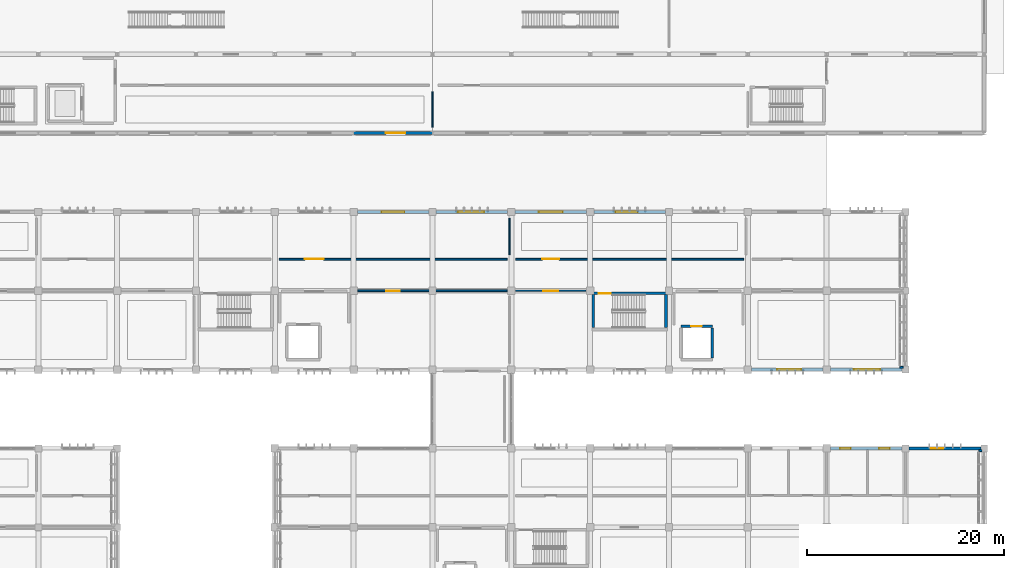
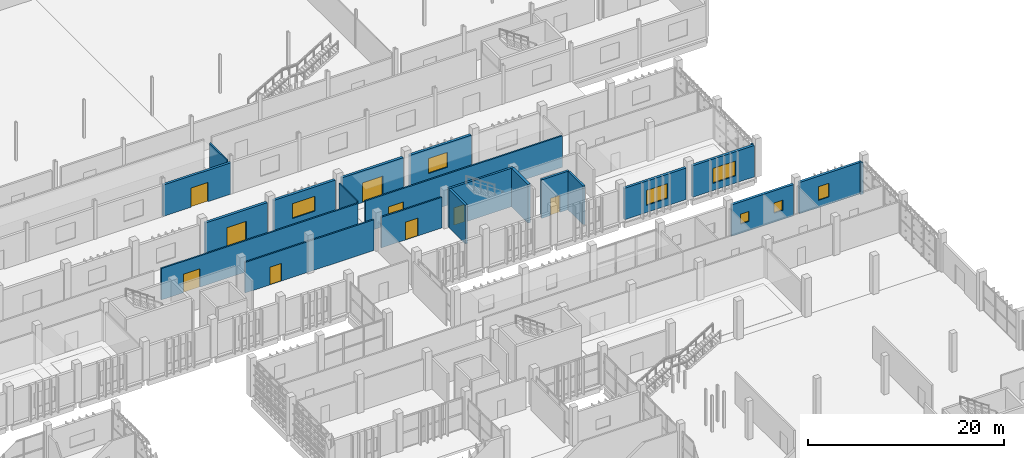
# One storey, part 96 of 117: 22 walls, 9 doors, 7 windows, 16 openings.
"""IFC4 building model written with IfcOpenShell, lengths in metres."""

from ifc_helpers import new_model, si_unit, direction, frame, frame_2d, origin, place, context, subcontext, project, spatial, rectangle, extrude, material, layer, layer_set, type_object, element, fill, save


model = new_model("IFC4")

# Units and contexts
model_context = context("Model", 3, precision=1e-05, world=origin(), true_north=direction((0.0, 1.0)))
body_context = subcontext(model_context, "Body", "Model", "MODEL_VIEW")
ifc_project = project(units=[si_unit("LENGTHUNIT", "METRE"), si_unit("AREAUNIT", "SQUARE_METRE"), si_unit("VOLUMEUNIT", "CUBIC_METRE"), si_unit("PLANEANGLEUNIT", "RADIAN"), si_unit("MASSUNIT", "GRAM", prefix="KILO")], contexts=[model_context])

# Site, building, storey
site_placement = place(None, origin())
site = spatial("IfcSite", under=ifc_project, at=site_placement, CompositionType="ELEMENT")
building_placement = place(site_placement, origin())
building = spatial("IfcBuilding", under=site, at=building_placement, Name="Jelvoka-Kovrelna Polytechnic", CompositionType="ELEMENT")
storey_placement = place(building_placement, origin())
storey = spatial("IfcBuildingStorey", under=building, at=storey_placement, Name="L01", CompositionType="ELEMENT", Elevation=0.0)

# Wall, opening, door
ifc_material_1 = material(Name="Concrete C40/50", Category="concrete")
ifc_layer_1 = layer(ifc_material_1, 0.25)
ifc_layer_set_1 = layer_set([ifc_layer_1], Name="Concrete C40/50")
wall_type_1 = type_object("IfcWallType", Name="Wall_Core_250", PredefinedType="SOLIDWALL", material=ifc_layer_set_1)
wall_1_placement = place(storey_placement, frame((160.199951171875, 63.739990234375, 0.0), z_axis=(0.0, 0.0, 1.0), x_axis=(1.0, 0.0, 0.0)))
wall_1 = element("IfcWall", 1, at=wall_1_placement, inside=storey, type_object=wall_type_1, Name="L01 interior wall 0187", PredefinedType="SOLIDWALL", context=body_context, shape_type="SweptSolid", body=[
    extrude(rectangle(XDim=7.650146484375, YDim=0.25, at=frame_2d((3.8251953125, 0.0))), origin(), (0.0, 0.0, 1.0), 4.800048828125),
])
opening_1_placement = place(wall_1_placement, frame((0.64990234375, 0.0, 0.0)))
opening_1 = element("IfcOpeningElement", 2, at=opening_1_placement, cuts=wall_1, Name="Opening SD-L01-047", PredefinedType="OPENING", context=body_context, shape_type="SweptSolid", body=[
    extrude(rectangle(XDim=1.25, YDim=2.14990234375, at=frame_2d((0.625, 1.074951171875))), frame((0.0, 0.135009765625, 0.0), z_axis=(0.0, -1.0, 0.0), x_axis=(1.0, 0.0, 0.0)), (0.0, 0.0, 1.0), 0.27001953125),
])
ifc_material_2 = material(Name="Powder-coated steel fire door", Category="steel")
door_type_1 = type_object("IfcDoorType", Name="Door_Fire_FD02", OperationType="NOTDEFINED", PredefinedType="DOOR", material=ifc_material_2)
door_1_placement = place(opening_1_placement, origin())
door_1 = element("IfcDoor", 3, at=door_1_placement, inside=storey, type_object=door_type_1, Name="L01 interior door SD-L01-047", OperationType="SINGLE_SWING_LEFT", OverallHeight=2.14990234375, OverallWidth=1.25, PredefinedType="DOOR", context=body_context, shape_type="SweptSolid", body=[
    extrude(rectangle(XDim=1.25, YDim=2.14990234375, at=frame_2d((0.625, 1.074951171875))), frame((0.0, 0.02490234375, 0.0), z_axis=(0.0, -1.0, 0.0), x_axis=(1.0, 0.0, 0.0)), (0.0, 0.0, 1.0), 0.050048828125),
])
fill(opening_1, door_1)

# Wall
wall_2_placement = place(storey_placement, frame((160.324951171875, 60.25, 0.0), z_axis=(0.0, 0.0, 1.0), x_axis=(0.0, 1.0, 0.0)))
element("IfcWall", 4, at=wall_2_placement, inside=storey, type_object=wall_type_1, Name="L01 interior wall 0188", PredefinedType="SOLIDWALL", context=body_context, shape_type="SweptSolid", body=[
    extrude(rectangle(XDim=3.360107421875, YDim=0.25, at=frame_2d((1.68017578125, 0.0))), origin(), (0.0, 0.0, 1.0), 4.800048828125),
])

# Wall, opening, door
wall_3_placement = place(storey_placement, frame((169.199951171875, 60.39990234375, 0.0), z_axis=(0.0, 0.0, 1.0), x_axis=(1.0, 0.0, 0.0)))
wall_3 = element("IfcWall", 5, at=wall_3_placement, inside=storey, type_object=wall_type_1, Name="L01 interior wall 0336", PredefinedType="SOLIDWALL", context=body_context, shape_type="SweptSolid", body=[
    extrude(rectangle(XDim=3.199951171875, YDim=0.25, at=frame_2d((1.60009765625, 0.0))), origin(), (0.0, 0.0, 1.0), 4.800048828125),
])
opening_2_placement = place(wall_3_placement, frame((1.050048828125, 0.0, 0.0)))
opening_2 = element("IfcOpeningElement", 6, at=opening_2_placement, cuts=wall_3, Name="Opening LD-L01-11", PredefinedType="OPENING", context=body_context, shape_type="SweptSolid", body=[
    extrude(rectangle(XDim=1.10009765625, YDim=2.14990234375, at=frame_2d((0.550048828125, 1.074951171875))), frame((0.0, 0.135009765625, 0.0), z_axis=(0.0, -1.0, 0.0), x_axis=(1.0, 0.0, 0.0)), (0.0, 0.0, 1.0), 0.27001953125),
])
ifc_material_3 = material(Name="Brushed stainless steel sliding landing door", Category="steel")
door_type_2 = type_object("IfcDoorType", Name="Door_Lift_LD01", OperationType="NOTDEFINED", PredefinedType="DOOR", material=ifc_material_3)
door_2_placement = place(opening_2_placement, origin())
door_2 = element("IfcDoor", 7, at=door_2_placement, inside=storey, type_object=door_type_2, Name="L01 lift landing sliding door LD-L01-11", OperationType="DOUBLE_DOOR_SLIDING", OverallHeight=2.14990234375, OverallWidth=1.10009765625, PredefinedType="DOOR", context=body_context, shape_type="SweptSolid", body=[
    extrude(rectangle(XDim=1.10009765625, YDim=2.14990234375, at=frame_2d((0.550048828125, 1.074951171875))), frame((0.0, 0.02490234375, 0.0), z_axis=(0.0, -1.0, 0.0), x_axis=(1.0, 0.0, 0.0)), (0.0, 0.0, 1.0), 0.050048828125),
])
fill(opening_2, door_2)

# Wall
wall_4_placement = place(storey_placement, frame((172.39990234375, 57.199951171875, 0.0), z_axis=(0.0, 0.0, 1.0), x_axis=(0.0, 1.0, 0.0)))
element("IfcWall", 8, at=wall_4_placement, inside=storey, type_object=wall_type_1, Name="L01 interior wall 0338", PredefinedType="SOLIDWALL", context=body_context, shape_type="SweptSolid", body=[
    extrude(rectangle(XDim=3.0, YDim=0.25, at=frame_2d((1.5, 0.0))), origin(), (0.0, 0.0, 1.0), 4.800048828125),
])

# Wall, opening, door
ifc_material_4 = material(Name="Autoclaved aerated concrete blockwork", Category="masonry")
ifc_layer_2 = layer(ifc_material_4, 0.179931640625)
ifc_layer_set_2 = layer_set([ifc_layer_2], Name="Autoclaved aerated concrete blockwork")
wall_type_2 = type_object("IfcWallType", Name="Wall_Corridor_180", PredefinedType="PARTITIONING", material=ifc_layer_set_2)
wall_5_placement = place(storey_placement, frame((136.429931640625, 64.0, 0.0), z_axis=(0.0, 0.0, 1.0), x_axis=(1.0, 0.0, 0.0)))
wall_5 = element("IfcWall", 9, at=wall_5_placement, inside=storey, type_object=wall_type_2, Name="L01 interior wall 0888", PredefinedType="PARTITIONING", context=body_context, shape_type="SweptSolid", body=[
    extrude(rectangle(XDim=15.14013671875, YDim=0.179931640625, at=frame_2d((7.570068359375, 0.0))), origin(), (0.0, 0.0, 1.0), 3.81005859375),
])
opening_3_placement = place(wall_5_placement, frame((2.89501953125, 0.0, 0.0)))
opening_3 = element("IfcOpeningElement", 10, at=opening_3_placement, cuts=wall_5, Name="Opening D-L01-181", PredefinedType="OPENING", context=body_context, shape_type="SweptSolid", body=[
    extrude(rectangle(XDim=1.35009765625, YDim=2.199951171875, at=frame_2d((0.675048828125, 1.10009765625))), frame((0.0, 0.099853515625, 0.0), z_axis=(0.0, -1.0, 0.0), x_axis=(1.0, 0.0, 0.0)), (0.0, 0.0, 1.0), 0.199951171875),
])
ifc_material_5 = material(Name="Studio wide leaf door", Category="wood")
door_type_3 = type_object("IfcDoorType", Name="Door_Int_D15", OperationType="NOTDEFINED", PredefinedType="DOOR", material=ifc_material_5)
door_3_placement = place(opening_3_placement, origin())
door_3 = element("IfcDoor", 11, at=door_3_placement, inside=storey, type_object=door_type_3, Name="L01 interior door D-L01-181", OperationType="SINGLE_SWING_RIGHT", OverallHeight=2.199951171875, OverallWidth=1.35009765625, PredefinedType="DOOR", context=body_context, shape_type="SweptSolid", body=[
    extrude(rectangle(XDim=1.35009765625, YDim=2.199951171875, at=frame_2d((0.675048828125, 1.10009765625))), frame((0.0, 0.02490234375, 0.0), z_axis=(0.0, -1.0, 0.0), x_axis=(1.0, 0.0, 0.0)), (0.0, 0.0, 1.0), 0.050048828125),
])
fill(opening_3, door_3)

wall_6_placement = place(storey_placement, frame((152.429931640625, 64.0, 0.0), z_axis=(0.0, 0.0, 1.0), x_axis=(1.0, 0.0, 0.0)))
wall_6 = element("IfcWall", 12, at=wall_6_placement, inside=storey, type_object=wall_type_2, Name="L01 interior wall 0890", PredefinedType="PARTITIONING", context=body_context, shape_type="SweptSolid", body=[
    extrude(rectangle(XDim=7.14013671875, YDim=0.179931640625, at=frame_2d((3.570068359375, 0.0))), origin(), (0.0, 0.0, 1.0), 3.81005859375),
])
opening_4_placement = place(wall_6_placement, frame((2.830078125, 0.0, 0.0)))
opening_4 = element("IfcOpeningElement", 13, at=opening_4_placement, cuts=wall_6, Name="Opening D-L01-182", PredefinedType="OPENING", context=body_context, shape_type="SweptSolid", body=[
    extrude(rectangle(XDim=1.47998046875, YDim=2.199951171875, at=frame_2d((0.739990234375, 1.10009765625))), frame((0.0, 0.099853515625, 0.0), z_axis=(0.0, -1.0, 0.0), x_axis=(1.0, 0.0, 0.0)), (0.0, 0.0, 1.0), 0.199951171875),
])
ifc_material_6 = material(Name="Paired studio double door", Category="wood")
door_type_4 = type_object("IfcDoorType", Name="Door_Int_D17", OperationType="NOTDEFINED", PredefinedType="DOOR", material=ifc_material_6)
door_4_placement = place(opening_4_placement, origin())
door_4 = element("IfcDoor", 14, at=door_4_placement, inside=storey, type_object=door_type_4, Name="L01 interior door D-L01-182", OperationType="DOUBLE_DOOR_SINGLE_SWING", OverallHeight=2.199951171875, OverallWidth=1.47998046875, PredefinedType="DOOR", context=body_context, shape_type="SweptSolid", body=[
    extrude(rectangle(XDim=1.47998046875, YDim=2.199951171875, at=frame_2d((0.739990234375, 1.10009765625))), frame((0.0, 0.02490234375, 0.0), z_axis=(0.0, -1.0, 0.0), x_axis=(1.0, 0.0, 0.0)), (0.0, 0.0, 1.0), 0.050048828125),
])
fill(opening_4, door_4)

wall_7_placement = place(storey_placement, frame((128.429931640625, 67.199951171875, 0.0), z_axis=(0.0, 0.0, 1.0), x_axis=(1.0, 0.0, 0.0)))
wall_7 = element("IfcWall", 15, at=wall_7_placement, inside=storey, type_object=wall_type_2, Name="L01 interior wall 0896", PredefinedType="PARTITIONING", context=body_context, shape_type="SweptSolid", body=[
    extrude(rectangle(XDim=23.14013671875, YDim=0.179931640625, at=frame_2d((11.570068359375, 0.0))), origin(), (0.0, 0.0, 1.0), 3.89990234375),
])
opening_5_placement = place(wall_7_placement, frame((2.610107421875, 0.0, 0.0)))
opening_5 = element("IfcOpeningElement", 16, at=opening_5_placement, cuts=wall_7, Name="Opening D-L01-187", PredefinedType="OPENING", context=body_context, shape_type="SweptSolid", body=[
    extrude(rectangle(XDim=1.919921875, YDim=2.300048828125, at=frame_2d((0.9599609375, 1.14990234375))), frame((0.0, 0.099853515625, 0.0), z_axis=(0.0, -1.0, 0.0), x_axis=(1.0, 0.0, 0.0)), (0.0, 0.0, 1.0), 0.199951171875),
])
ifc_material_7 = material(Name="Paired workshop prep double door", Category="wood")
door_type_5 = type_object("IfcDoorType", Name="Door_Int_D23", OperationType="NOTDEFINED", PredefinedType="DOOR", material=ifc_material_7)
door_5_placement = place(opening_5_placement, origin())
door_5 = element("IfcDoor", 17, at=door_5_placement, inside=storey, type_object=door_type_5, Name="L01 interior door D-L01-187", OperationType="DOUBLE_DOOR_SINGLE_SWING", OverallHeight=2.300048828125, OverallWidth=1.919921875, PredefinedType="DOOR", context=body_context, shape_type="SweptSolid", body=[
    extrude(rectangle(XDim=1.919921875, YDim=2.300048828125, at=frame_2d((0.9599609375, 1.14990234375))), frame((0.0, 0.02490234375, 0.0), z_axis=(0.0, -1.0, 0.0), x_axis=(1.0, 0.0, 0.0)), (0.0, 0.0, 1.0), 0.050048828125),
])
fill(opening_5, door_5)

wall_8_placement = place(storey_placement, frame((152.429931640625, 67.199951171875, 0.0), z_axis=(0.0, 0.0, 1.0), x_axis=(1.0, 0.0, 0.0)))
wall_8 = element("IfcWall", 18, at=wall_8_placement, inside=storey, type_object=wall_type_2, Name="L01 interior wall 0898", PredefinedType="PARTITIONING", context=body_context, shape_type="SweptSolid", body=[
    extrude(rectangle(XDim=23.14013671875, YDim=0.179931640625, at=frame_2d((11.570068359375, 0.0))), origin(), (0.0, 0.0, 1.0), 3.89990234375),
])
opening_6_placement = place(wall_8_placement, frame((2.699951171875, 0.0, 0.0)))
opening_6 = element("IfcOpeningElement", 19, at=opening_6_placement, cuts=wall_8, Name="Opening D-L01-188", PredefinedType="OPENING", context=body_context, shape_type="SweptSolid", body=[
    extrude(rectangle(XDim=1.739990234375, YDim=2.219970703125, at=frame_2d((0.8701171875, 1.10986328125))), frame((0.0, 0.099853515625, 0.0), z_axis=(0.0, -1.0, 0.0), x_axis=(1.0, 0.0, 0.0)), (0.0, 0.0, 1.0), 0.199951171875),
])
ifc_material_8 = material(Name="Paired hardwood fire-resisting refectory door", Category="wood")
door_type_6 = type_object("IfcDoorType", Name="Door_Fire_FD30_09", OperationType="NOTDEFINED", PredefinedType="DOOR", material=ifc_material_8)
door_6_placement = place(opening_6_placement, origin())
door_6 = element("IfcDoor", 20, at=door_6_placement, inside=storey, type_object=door_type_6, Name="L01 interior door D-L01-188", OperationType="DOUBLE_DOOR_SINGLE_SWING", OverallHeight=2.219970703125, OverallWidth=1.739990234375, PredefinedType="DOOR", context=body_context, shape_type="SweptSolid", body=[
    extrude(rectangle(XDim=1.739990234375, YDim=2.219970703125, at=frame_2d((0.8701171875, 1.10986328125))), frame((0.0, 0.02490234375, 0.0), z_axis=(0.0, -1.0, 0.0), x_axis=(1.0, 0.0, 0.0)), (0.0, 0.0, 1.0), 0.050048828125),
])
fill(opening_6, door_6)

ifc_material_9 = material(Name="Precast concrete C40/50", Category="concrete")
ifc_layer_3 = layer(ifc_material_9, 0.280029296875)
ifc_layer_set_3 = layer_set([ifc_layer_3], Name="Precast concrete C40/50")
wall_type_3 = type_object("IfcWallType", Name="Wall_Ext_White_280", PredefinedType="STANDARD", material=ifc_layer_set_3)
wall_9_placement = place(storey_placement, frame((143.99609375, 80.0, 0.0), z_axis=(0.0, 0.0, 1.0), x_axis=(-1.0, 0.0, 0.0)))
wall_9 = element("IfcWall", 21, at=wall_9_placement, inside=storey, type_object=wall_type_3, Name="L01 exterior wall 0892", PredefinedType="STANDARD", context=body_context, shape_type="SweptSolid", body=[
    extrude(rectangle(XDim=7.9921875, YDim=0.280029296875, at=frame_2d((3.99609375, 0.0))), origin(), (0.0, 0.0, 1.0), 3.89501953125),
])
opening_7_placement = place(wall_9_placement, frame((2.736083984375, 0.0, 0.0)))
opening_7 = element("IfcOpeningElement", 22, at=opening_7_placement, cuts=wall_9, Name="Opening E-L01-028", PredefinedType="OPENING", context=body_context, shape_type="SweptSolid", body=[
    extrude(rectangle(XDim=2.0, YDim=2.39990234375, at=frame_2d((1.0, 1.199951171875))), frame((0.0, 0.150146484375, 0.0), z_axis=(0.0, -1.0, 0.0), x_axis=(1.0, 0.0, 0.0)), (0.0, 0.0, 1.0), 0.300048828125),
])
ifc_material_10 = material(Name="Powder-coated aluminium and laminated safety glass", Category="aluminium")
door_type_7 = type_object("IfcDoorType", Name="Door_Ext_Exit_2000x2400", OperationType="NOTDEFINED", PredefinedType="DOOR", material=ifc_material_10)
door_7_placement = place(opening_7_placement, origin())
door_7 = element("IfcDoor", 23, at=door_7_placement, inside=storey, type_object=door_type_7, Name="L01 exterior door E-L01-028", OperationType="DOUBLE_DOOR_SINGLE_SWING", OverallHeight=2.39990234375, OverallWidth=2.0, PredefinedType="DOOR", context=body_context, shape_type="SweptSolid", body=[
    extrude(rectangle(XDim=2.0, YDim=2.39990234375, at=frame_2d((1.0, 1.199951171875))), frame((0.0, 0.02490234375, 0.0), z_axis=(0.0, -1.0, 0.0), x_axis=(1.0, 0.0, 0.0)), (0.0, 0.0, 1.0), 0.050048828125),
])
fill(opening_7, door_7)

# Wall, openings, windows
ifc_material_11 = material(Name="Precast concrete C40/50", Category="concrete")
ifc_layer_4 = layer(ifc_material_11, 0.300048828125)
ifc_layer_set_4 = layer_set([ifc_layer_4], Name="Precast concrete C40/50")
wall_type_4 = type_object("IfcWallType", Name="Wall_Ext_White_300", PredefinedType="STANDARD", material=ifc_layer_set_4)
wall_10_placement = place(storey_placement, frame((184.3720703125, 48.0, 0.0), z_axis=(0.0, 0.0, 1.0), x_axis=(1.0, 0.0, 0.0)))
wall_10 = element("IfcWall", 24, at=wall_10_placement, inside=storey, type_object=wall_type_4, Name="L01 exterior wall 0451", PredefinedType="STANDARD", context=body_context, shape_type="SweptSolid", body=[
    extrude(rectangle(XDim=7.281005859375, YDim=0.300048828125, at=frame_2d((3.640625, 0.0))), origin(), (0.0, 0.0, 1.0), 3.909912109375),
])
opening_8_placement = place(wall_10_placement, frame((1.008056640625, 0.0, 1.14990234375)))
opening_8 = element("IfcOpeningElement", 25, at=opening_8_placement, cuts=wall_10, Name="Opening W-L01-175", PredefinedType="OPENING", context=body_context, shape_type="SweptSolid", body=[
    extrude(rectangle(XDim=1.050048828125, YDim=1.25, at=frame_2d((0.52490234375, 0.625))), frame((0.0, 0.159912109375, 0.0), z_axis=(0.0, -1.0, 0.0), x_axis=(1.0, 0.0, 0.0)), (0.0, 0.0, 1.0), 0.320068359375),
])
opening_9_placement = place(wall_10_placement, frame((4.9580078125, 0.0, 1.14990234375)))
opening_9 = element("IfcOpeningElement", 26, at=opening_9_placement, cuts=wall_10, Name="Opening W-L01-176", PredefinedType="OPENING", context=body_context, shape_type="SweptSolid", body=[
    extrude(rectangle(XDim=1.050048828125, YDim=1.25, at=frame_2d((0.52490234375, 0.625))), frame((0.0, 0.159912109375, 0.0), z_axis=(0.0, -1.0, 0.0), x_axis=(1.0, 0.0, 0.0)), (0.0, 0.0, 1.0), 0.320068359375),
])
ifc_material_12 = material(Name="Thermally broken anodised aluminium and low-e glazing", Category="aluminium")
window_type_1 = type_object("IfcWindowType", Name="Win_Casement_W01", PartitioningType="SINGLE_PANEL", PredefinedType="WINDOW", material=ifc_material_12)
window_1_placement = place(opening_8_placement, origin())
window_1 = element("IfcWindow", 27, at=window_1_placement, inside=storey, type_object=window_type_1, Name="L01 aluminium casement window W-L01-175", OverallHeight=1.25, OverallWidth=1.050048828125, PartitioningType="SINGLE_PANEL", PredefinedType="WINDOW", context=body_context, shape_type="SweptSolid", body=[
    extrude(rectangle(XDim=1.050048828125, YDim=1.25, at=frame_2d((0.52490234375, 0.625))), frame((0.0, 0.030029296875, 0.0), z_axis=(0.0, -1.0, 0.0), x_axis=(1.0, 0.0, 0.0)), (0.0, 0.0, 1.0), 0.06005859375),
])
fill(opening_8, window_1)
window_2_placement = place(opening_9_placement, origin())
window_2 = element("IfcWindow", 28, at=window_2_placement, inside=storey, type_object=window_type_1, Name="L01 aluminium casement window W-L01-176", OverallHeight=1.25, OverallWidth=1.050048828125, PartitioningType="SINGLE_PANEL", PredefinedType="WINDOW", context=body_context, shape_type="SweptSolid", body=[
    extrude(rectangle(XDim=1.050048828125, YDim=1.25, at=frame_2d((0.52490234375, 0.625))), frame((0.0, 0.030029296875, 0.0), z_axis=(0.0, -1.0, 0.0), x_axis=(1.0, 0.0, 0.0)), (0.0, 0.0, 1.0), 0.06005859375),
])
fill(opening_9, window_2)

# Wall, opening, window
wall_11_placement = place(storey_placement, frame((192.346923828125, 48.0, 0.0), z_axis=(0.0, 0.0, 1.0), x_axis=(1.0, 0.0, 0.0)))
wall_11 = element("IfcWall", 29, at=wall_11_placement, inside=storey, type_object=wall_type_4, Name="L01 exterior wall 0452", PredefinedType="STANDARD", context=body_context, shape_type="SweptSolid", body=[
    extrude(rectangle(XDim=7.30615234375, YDim=0.300048828125, at=frame_2d((3.653076171875, 0.0))), origin(), (0.0, 0.0, 1.0), 3.909912109375),
])
opening_10_placement = place(wall_11_placement, frame((2.23291015625, 0.0, 0.89990234375)))
opening_10 = element("IfcOpeningElement", 30, at=opening_10_placement, cuts=wall_11, Name="Opening W-L01-177", PredefinedType="OPENING", context=body_context, shape_type="SweptSolid", body=[
    extrude(rectangle(XDim=1.25, YDim=1.699951171875, at=frame_2d((0.625, 0.85009765625))), frame((0.0, 0.159912109375, 0.0), z_axis=(0.0, -1.0, 0.0), x_axis=(1.0, 0.0, 0.0)), (0.0, 0.0, 1.0), 0.320068359375),
])
ifc_material_13 = material(Name="Thermally broken anodised aluminium and low-e glazing", Category="aluminium")
window_type_2 = type_object("IfcWindowType", Name="Win_Casement_W32", PartitioningType="SINGLE_PANEL", PredefinedType="WINDOW", material=ifc_material_13)
window_3_placement = place(opening_10_placement, origin())
window_3 = element("IfcWindow", 31, at=window_3_placement, inside=storey, type_object=window_type_2, Name="L01 aluminium casement window W-L01-177", OverallHeight=1.699951171875, OverallWidth=1.25, PartitioningType="SINGLE_PANEL", PredefinedType="WINDOW", context=body_context, shape_type="SweptSolid", body=[
    extrude(rectangle(XDim=1.25, YDim=1.699951171875, at=frame_2d((0.625, 0.85009765625))), frame((0.0, 0.030029296875, 0.0), z_axis=(0.0, -1.0, 0.0), x_axis=(1.0, 0.0, 0.0)), (0.0, 0.0, 1.0), 0.06005859375),
])
fill(opening_10, window_3)

# Wall, opening, door
wall_12_placement = place(storey_placement, frame((136.3720703125, 72.0, 0.0), z_axis=(0.0, 0.0, 1.0), x_axis=(1.0, 0.0, 0.0)))
wall_12 = element("IfcWall", 32, at=wall_12_placement, inside=storey, type_object=wall_type_4, Name="L01 exterior wall 0591", PredefinedType="STANDARD", context=body_context, shape_type="SweptSolid", body=[
    extrude(rectangle(XDim=7.255859375, YDim=0.300048828125, at=frame_2d((3.6279296875, 0.0))), origin(), (0.0, 0.0, 1.0), 3.909912109375),
])
opening_11_placement = place(wall_12_placement, frame((2.47802734375, 0.0, 0.0)))
opening_11 = element("IfcOpeningElement", 33, at=opening_11_placement, cuts=wall_12, Name="Opening E-L01-013", PredefinedType="OPENING", context=body_context, shape_type="SweptSolid", body=[
    extrude(rectangle(XDim=2.300048828125, YDim=2.449951171875, at=frame_2d((1.14990234375, 1.22509765625))), frame((0.0, 0.159912109375, 0.0), z_axis=(0.0, -1.0, 0.0), x_axis=(1.0, 0.0, 0.0)), (0.0, 0.0, 1.0), 0.320068359375),
])
ifc_material_14 = material(Name="Powder-coated aluminium and laminated safety glass", Category="aluminium")
door_type_8 = type_object("IfcDoorType", Name="Door_Ext_Exit_2300x2450", OperationType="NOTDEFINED", PredefinedType="DOOR", material=ifc_material_14)
door_8_placement = place(opening_11_placement, origin())
door_8 = element("IfcDoor", 34, at=door_8_placement, inside=storey, type_object=door_type_8, Name="L01 exterior door E-L01-013", OperationType="DOUBLE_DOOR_SINGLE_SWING", OverallHeight=2.449951171875, OverallWidth=2.300048828125, PredefinedType="DOOR", context=body_context, shape_type="SweptSolid", body=[
    extrude(rectangle(XDim=2.300048828125, YDim=2.449951171875, at=frame_2d((1.14990234375, 1.22509765625))), frame((0.0, 0.02490234375, 0.0), z_axis=(0.0, -1.0, 0.0), x_axis=(1.0, 0.0, 0.0)), (0.0, 0.0, 1.0), 0.050048828125),
])
fill(opening_11, door_8)

# Wall, opening, window
wall_13_placement = place(storey_placement, frame((144.3720703125, 72.0, 0.0), z_axis=(0.0, 0.0, 1.0), x_axis=(1.0, 0.0, 0.0)))
wall_13 = element("IfcWall", 35, at=wall_13_placement, inside=storey, type_object=wall_type_4, Name="L01 exterior wall 0592", PredefinedType="STANDARD", context=body_context, shape_type="SweptSolid", body=[
    extrude(rectangle(XDim=7.255859375, YDim=0.300048828125, at=frame_2d((3.6279296875, 0.0))), origin(), (0.0, 0.0, 1.0), 3.909912109375),
])
opening_12_placement = place(wall_13_placement, frame((2.2080078125, 0.0, 0.89990234375)))
opening_12 = element("IfcOpeningElement", 36, at=opening_12_placement, cuts=wall_13, Name="Opening W-L01-272", PredefinedType="OPENING", context=body_context, shape_type="SweptSolid", body=[
    extrude(rectangle(XDim=2.64990234375, YDim=1.85009765625, at=frame_2d((1.324951171875, 0.925048828125))), frame((0.0, 0.159912109375, 0.0), z_axis=(0.0, -1.0, 0.0), x_axis=(1.0, 0.0, 0.0)), (0.0, 0.0, 1.0), 0.320068359375),
])
ifc_material_15 = material(Name="Thermally broken anodised aluminium and low-e glazing", Category="aluminium")
window_type_3 = type_object("IfcWindowType", Name="Win_Casement_W49", PartitioningType="DOUBLE_PANEL_VERTICAL", PredefinedType="WINDOW", material=ifc_material_15)
window_4_placement = place(opening_12_placement, origin())
window_4 = element("IfcWindow", 37, at=window_4_placement, inside=storey, type_object=window_type_3, Name="L01 aluminium casement window W-L01-272", OverallHeight=1.85009765625, OverallWidth=2.64990234375, PartitioningType="DOUBLE_PANEL_VERTICAL", PredefinedType="WINDOW", context=body_context, shape_type="SweptSolid", body=[
    extrude(rectangle(XDim=2.64990234375, YDim=1.85009765625, at=frame_2d((1.324951171875, 0.925048828125))), frame((0.0, 0.030029296875, 0.0), z_axis=(0.0, -1.0, 0.0), x_axis=(1.0, 0.0, 0.0)), (0.0, 0.0, 1.0), 0.06005859375),
])
fill(opening_12, window_4)

# Wall, opening, door
wall_14_placement = place(storey_placement, frame((152.3720703125, 72.0, 0.0), z_axis=(0.0, 0.0, 1.0), x_axis=(1.0, 0.0, 0.0)))
wall_14 = element("IfcWall", 38, at=wall_14_placement, inside=storey, type_object=wall_type_4, Name="L01 exterior wall 0594", PredefinedType="STANDARD", context=body_context, shape_type="SweptSolid", body=[
    extrude(rectangle(XDim=7.255859375, YDim=0.300048828125, at=frame_2d((3.6279296875, 0.0))), origin(), (0.0, 0.0, 1.0), 3.909912109375),
])
opening_13_placement = place(wall_14_placement, frame((2.427978515625, 0.0, 0.0)))
opening_13 = element("IfcOpeningElement", 39, at=opening_13_placement, cuts=wall_14, Name="Opening E-L01-014", PredefinedType="OPENING", context=body_context, shape_type="SweptSolid", body=[
    extrude(rectangle(XDim=2.39990234375, YDim=2.449951171875, at=frame_2d((1.199951171875, 1.22509765625))), frame((0.0, 0.159912109375, 0.0), z_axis=(0.0, -1.0, 0.0), x_axis=(1.0, 0.0, 0.0)), (0.0, 0.0, 1.0), 0.320068359375),
])
ifc_material_16 = material(Name="Powder-coated aluminium and laminated safety glass", Category="aluminium")
door_type_9 = type_object("IfcDoorType", Name="Door_Ext_Exit_2400x2450", OperationType="NOTDEFINED", PredefinedType="DOOR", material=ifc_material_16)
door_9_placement = place(opening_13_placement, origin())
door_9 = element("IfcDoor", 40, at=door_9_placement, inside=storey, type_object=door_type_9, Name="L01 exterior door E-L01-014", OperationType="DOUBLE_DOOR_SINGLE_SWING", OverallHeight=2.449951171875, OverallWidth=2.39990234375, PredefinedType="DOOR", context=body_context, shape_type="SweptSolid", body=[
    extrude(rectangle(XDim=2.39990234375, YDim=2.449951171875, at=frame_2d((1.199951171875, 1.22509765625))), frame((0.0, 0.02490234375, 0.0), z_axis=(0.0, -1.0, 0.0), x_axis=(1.0, 0.0, 0.0)), (0.0, 0.0, 1.0), 0.050048828125),
])
fill(opening_13, door_9)

# Wall, opening, window
wall_15_placement = place(storey_placement, frame((160.3720703125, 72.0, 0.0), z_axis=(0.0, 0.0, 1.0), x_axis=(1.0, 0.0, 0.0)))
wall_15 = element("IfcWall", 41, at=wall_15_placement, inside=storey, type_object=wall_type_4, Name="L01 exterior wall 0596", PredefinedType="STANDARD", context=body_context, shape_type="SweptSolid", body=[
    extrude(rectangle(XDim=7.255859375, YDim=0.300048828125, at=frame_2d((3.6279296875, 0.0))), origin(), (0.0, 0.0, 1.0), 3.909912109375),
])
opening_14_placement = place(wall_15_placement, frame((2.2080078125, 0.0, 0.89990234375)))
opening_14 = element("IfcOpeningElement", 42, at=opening_14_placement, cuts=wall_15, Name="Opening W-L01-275", PredefinedType="OPENING", context=body_context, shape_type="SweptSolid", body=[
    extrude(rectangle(XDim=2.25, YDim=1.85009765625, at=frame_2d((1.125, 0.925048828125))), frame((0.0, 0.159912109375, 0.0), z_axis=(0.0, -1.0, 0.0), x_axis=(1.0, 0.0, 0.0)), (0.0, 0.0, 1.0), 0.320068359375),
])
ifc_material_17 = material(Name="Thermally broken anodised aluminium and low-e glazing", Category="aluminium")
window_type_4 = type_object("IfcWindowType", Name="Win_Casement_W47", PartitioningType="DOUBLE_PANEL_VERTICAL", PredefinedType="WINDOW", material=ifc_material_17)
window_5_placement = place(opening_14_placement, origin())
window_5 = element("IfcWindow", 43, at=window_5_placement, inside=storey, type_object=window_type_4, Name="L01 aluminium casement window W-L01-275", OverallHeight=1.85009765625, OverallWidth=2.25, PartitioningType="DOUBLE_PANEL_VERTICAL", PredefinedType="WINDOW", context=body_context, shape_type="SweptSolid", body=[
    extrude(rectangle(XDim=2.25, YDim=1.85009765625, at=frame_2d((1.125, 0.925048828125))), frame((0.0, 0.030029296875, 0.0), z_axis=(0.0, -1.0, 0.0), x_axis=(1.0, 0.0, 0.0)), (0.0, 0.0, 1.0), 0.06005859375),
])
fill(opening_14, window_5)

wall_16_placement = place(storey_placement, frame((183.6279296875, 56.0, 0.0), z_axis=(0.0, 0.0, 1.0), x_axis=(-1.0, 0.0, 0.0)))
wall_16 = element("IfcWall", 44, at=wall_16_placement, inside=storey, type_object=wall_type_4, Name="L01 exterior wall 0599", PredefinedType="STANDARD", context=body_context, shape_type="SweptSolid", body=[
    extrude(rectangle(XDim=7.255859375, YDim=0.300048828125, at=frame_2d((3.6279296875, 0.0))), origin(), (0.0, 0.0, 1.0), 3.909912109375),
])
opening_15_placement = place(wall_16_placement, frame((2.2080078125, 0.0, 0.89990234375)))
opening_15 = element("IfcOpeningElement", 45, at=opening_15_placement, cuts=wall_16, Name="Opening W-L01-278", PredefinedType="OPENING", context=body_context, shape_type="SweptSolid", body=[
    extrude(rectangle(XDim=2.449951171875, YDim=1.85009765625, at=frame_2d((1.22509765625, 0.925048828125))), frame((0.0, 0.159912109375, 0.0), z_axis=(0.0, -1.0, 0.0), x_axis=(1.0, 0.0, 0.0)), (0.0, 0.0, 1.0), 0.320068359375),
])
ifc_material_18 = material(Name="Thermally broken anodised aluminium and low-e glazing", Category="aluminium")
window_type_5 = type_object("IfcWindowType", Name="Win_Casement_W48", PartitioningType="DOUBLE_PANEL_VERTICAL", PredefinedType="WINDOW", material=ifc_material_18)
window_6_placement = place(opening_15_placement, origin())
window_6 = element("IfcWindow", 46, at=window_6_placement, inside=storey, type_object=window_type_5, Name="L01 aluminium casement window W-L01-278", OverallHeight=1.85009765625, OverallWidth=2.449951171875, PartitioningType="DOUBLE_PANEL_VERTICAL", PredefinedType="WINDOW", context=body_context, shape_type="SweptSolid", body=[
    extrude(rectangle(XDim=2.449951171875, YDim=1.85009765625, at=frame_2d((1.22509765625, 0.925048828125))), frame((0.0, 0.030029296875, 0.0), z_axis=(0.0, -1.0, 0.0), x_axis=(1.0, 0.0, 0.0)), (0.0, 0.0, 1.0), 0.06005859375),
])
fill(opening_15, window_6)

wall_17_placement = place(storey_placement, frame((191.653076171875, 56.0, 0.0), z_axis=(0.0, 0.0, 1.0), x_axis=(-1.0, 0.0, 0.0)))
wall_17 = element("IfcWall", 47, at=wall_17_placement, inside=storey, type_object=wall_type_4, Name="L01 exterior wall 0601", PredefinedType="STANDARD", context=body_context, shape_type="SweptSolid", body=[
    extrude(rectangle(XDim=7.281005859375, YDim=0.300048828125, at=frame_2d((3.640625, 0.0))), origin(), (0.0, 0.0, 1.0), 3.909912109375),
])
opening_16_placement = place(wall_17_placement, frame((2.23291015625, 0.0, 0.89990234375)))
opening_16 = element("IfcOpeningElement", 48, at=opening_16_placement, cuts=wall_17, Name="Opening W-L01-279", PredefinedType="OPENING", context=body_context, shape_type="SweptSolid", body=[
    extrude(rectangle(XDim=2.64990234375, YDim=1.85009765625, at=frame_2d((1.324951171875, 0.925048828125))), frame((0.0, 0.159912109375, 0.0), z_axis=(0.0, -1.0, 0.0), x_axis=(1.0, 0.0, 0.0)), (0.0, 0.0, 1.0), 0.320068359375),
])
window_7_placement = place(opening_16_placement, origin())
window_7 = element("IfcWindow", 49, at=window_7_placement, inside=storey, type_object=window_type_3, Name="L01 aluminium casement window W-L01-279", OverallHeight=1.85009765625, OverallWidth=2.64990234375, PartitioningType="DOUBLE_PANEL_VERTICAL", PredefinedType="WINDOW", context=body_context, shape_type="SweptSolid", body=[
    extrude(rectangle(XDim=2.64990234375, YDim=1.85009765625, at=frame_2d((1.324951171875, 0.925048828125))), frame((0.0, 0.030029296875, 0.0), z_axis=(0.0, -1.0, 0.0), x_axis=(1.0, 0.0, 0.0)), (0.0, 0.0, 1.0), 0.06005859375),
])
fill(opening_16, window_7)

# Walls
ifc_material_19 = material(Name="Precast concrete C40/50", Category="concrete")
ifc_layer_5 = layer(ifc_material_19, 0.199951171875)
ifc_layer_set_5 = layer_set([ifc_layer_5], Name="Precast concrete C40/50")
wall_type_5 = type_object("IfcWallType", Name="Wall_Parapet_200", PredefinedType="PARAPET", material=ifc_layer_set_5)
for number, where, z_axis, x_axis, name in (
    (50, (199.760009765625, 47.780029296875, 0.0), (0.0, 0.0, 1.0), (-1.0, 0.0, 0.0), "L01 exterior wall 0460"),
    (51, (191.760009765625, 56.219970703125, 0.0), (0.0, 0.0, 1.0), (-1.0, 0.0, 0.0), "L01 exterior wall 0603"),
):
    element("IfcWall", number, at=place(storey_placement, frame(where, z_axis=z_axis, x_axis=x_axis)), inside=storey, type_object=wall_type_5, Name=name, PredefinedType="PARAPET", context=body_context, shape_type="SweptSolid", body=[
        extrude(rectangle(XDim=0.320068359375, YDim=0.199951171875, at=frame_2d((0.16015625, 0.0))), origin(), (0.0, 0.0, 1.0), 3.949951171875),
    ])
ifc_material_20 = material(Name="Acoustic gypsum stud partition")
ifc_layer_6 = layer(ifc_material_20, 0.125)
ifc_layer_set_6 = layer_set([ifc_layer_6], Name="Acoustic gypsum stud partition")
wall_type_6 = type_object("IfcWallType", Name="Wall_Partition_125", PredefinedType="PARTITIONING", material=ifc_layer_set_6)
wall_18_placement = place(storey_placement, frame((151.820068359375, 67.669921875, 0.0), z_axis=(0.0, 0.0, 1.0), x_axis=(0.0, 1.0, 0.0)))
element("IfcWall", 52, at=wall_18_placement, inside=storey, type_object=wall_type_6, Name="L01 interior wall 0897", PredefinedType="PARTITIONING", context=body_context, shape_type="SweptSolid", body=[
    extrude(rectangle(XDim=3.7099609375, YDim=0.125, at=frame_2d((1.85498046875, 0.0))), origin(), (0.0, 0.0, 1.0), 3.760009765625),
])
ifc_material_21 = material(Name="Autoclaved aerated concrete blockwork", Category="masonry")
ifc_layer_7 = layer(ifc_material_21, 0.14990234375)
ifc_layer_set_7 = layer_set([ifc_layer_7], Name="Autoclaved aerated concrete blockwork")
wall_type_7 = type_object("IfcWallType", Name="Wall_Partition_150", PredefinedType="PARTITIONING", material=ifc_layer_set_7)
wall_19_placement = place(storey_placement, frame((144.0, 80.6201171875, 0.0), z_axis=(0.0, 0.0, 1.0), x_axis=(0.0, 1.0, 0.0)))
element("IfcWall", 53, at=wall_19_placement, inside=storey, type_object=wall_type_7, Name="L01 interior wall 0916", PredefinedType="PARTITIONING", context=body_context, shape_type="SweptSolid", body=[
    extrude(rectangle(XDim=3.559814453125, YDim=0.14990234375, at=frame_2d((1.77978515625, 0.0))), origin(), (0.0, 0.0, 1.0), 3.7451171875),
])
ifc_material_22 = material(Name="Concrete C40/50", Category="concrete")
ifc_layer_8 = layer(ifc_material_22, 0.300048828125)
ifc_layer_set_8 = layer_set([ifc_layer_8], Name="Concrete C40/50")
wall_type_8 = type_object("IfcWallType", Name="Wall_Shear_300", PredefinedType="SHEAR", material=ifc_layer_set_8)
wall_20_placement = place(storey_placement, frame((167.7099609375, 60.25, 0.0), z_axis=(0.0, 0.0, 1.0), x_axis=(0.0, 1.0, 0.0)))
element("IfcWall", 54, at=wall_20_placement, inside=storey, type_object=wall_type_8, Name="L01 interior wall 0186", PredefinedType="SHEAR", context=body_context, shape_type="SweptSolid", body=[
    extrude(rectangle(XDim=3.360107421875, YDim=0.300048828125, at=frame_2d((1.68017578125, 0.0))), origin(), (0.0, 0.0, 1.0), 4.800048828125),
])

save(model, "model.ifc")
